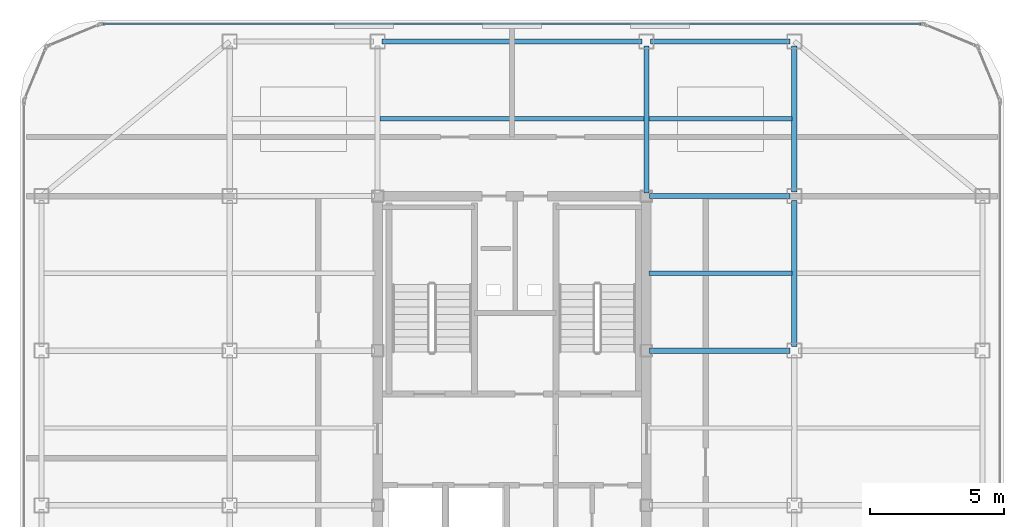
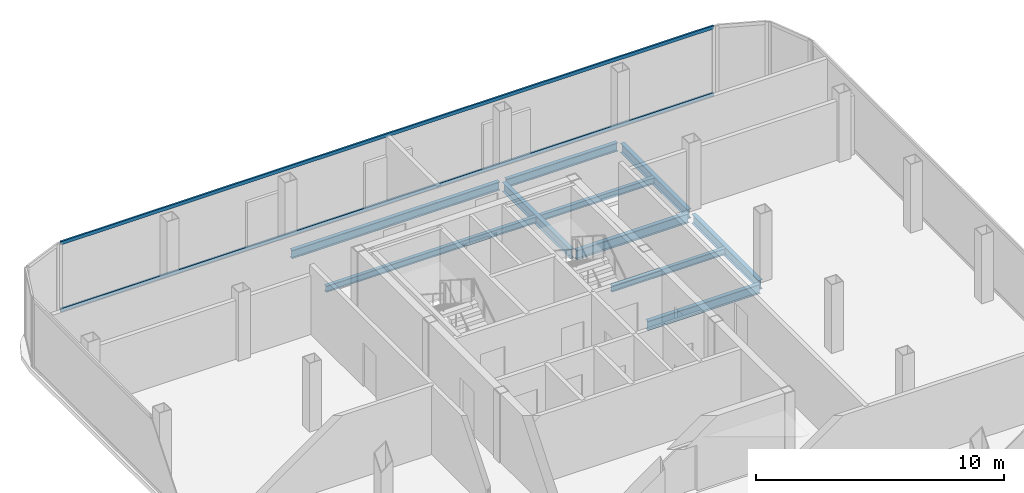
# One storey, part 5 of 11: 10 beams, 2 members, 1 element without a shape of its own.
"""IFC4 building model written with IfcOpenShell, lengths in metres."""

from ifc_helpers import new_model, si_unit, direction, frame, origin, origin_2d, place, context, subcontext, project, spatial, hollow_rectangle, i_section, extrude, source, transform, mapped, material, layer, layer_set, material_profile, profile_set, type_object, element, aggregate, save


model = new_model("IFC4")

# Units and contexts
model_context = context("Model", 3, precision=1e-05, world=origin(), true_north=direction((0.0, 1.0)))
body_context = subcontext(model_context, "Body", "Model", "MODEL_VIEW")
ifc_project = project(units=[si_unit("LENGTHUNIT", "METRE"), si_unit("AREAUNIT", "SQUARE_METRE"), si_unit("VOLUMEUNIT", "CUBIC_METRE"), si_unit("PLANEANGLEUNIT", "RADIAN"), si_unit("MASSUNIT", "GRAM", prefix="KILO")], contexts=[model_context])

# Site, building, storey
site_placement = place(None, origin())
site = spatial("IfcSite", under=ifc_project, at=site_placement, CompositionType="ELEMENT")
building_placement = place(site_placement, origin())
building = spatial("IfcBuilding", under=site, at=building_placement, Name="Kolveth Station Tower", CompositionType="ELEMENT")
storey_placement = place(building_placement, frame((0.0, 0.0, 274.89990234375)))
storey = spatial("IfcBuildingStorey", under=building, at=storey_placement, Name="L79", CompositionType="ELEMENT", Elevation=274.89990234375)

# Beams
ifc_material_1 = material(Name="Steel S355", Category="steel")
ifc_material_profile_1 = material_profile(ifc_material_1, i_section(OverallWidth=0.180908203125, OverallDepth=0.4169921875, WebThickness=0.010986328125, FlangeThickness=0.018310546875, at=origin_2d()), Name="W410x85")
ifc_profile_set_1 = profile_set([ifc_material_profile_1], Name="Steel S355")
beam_type_1 = type_object("IfcBeamType", Name="Beam_B8", PredefinedType="BEAM", material=ifc_profile_set_1)
shared_shape_1 = source(origin(), body_context, "Body", "SweptSolid", [
    extrude(i_section(OverallWidth=0.180908203125, OverallDepth=0.4169921875, WebThickness=0.010986328125, FlangeThickness=0.018310546875, at=origin_2d()), origin(), (0.0, 0.0, 1.0), 5.18017578125),
])
beam_1_placement = place(storey_placement, frame((28.659912109375, 34.5, -0.428466796875), z_axis=(1.0, 0.0, 0.0), x_axis=(0.0, 1.0, 0.0)))
element("IfcBeam", 1, at=beam_1_placement, inside=storey, type_object=beam_type_1, Name="L79 Perimeter Spandrel BM-L79-PN-3", PredefinedType="BEAM", context=body_context, shape_type="MappedRepresentation", body=[
    mapped(shared_shape_1, transform((0.0, 0.0, 0.0), x_axis=(1.0, 0.0, 0.0), y_axis=(0.0, 1.0, 0.0), z_axis=(0.0, 0.0, 1.0), scale=1.0)),
])
shared_shape_2 = source(origin(), body_context, "Body", "SweptSolid", [
    extrude(i_section(OverallWidth=0.180908203125, OverallDepth=0.4169921875, WebThickness=0.010986328125, FlangeThickness=0.018310546875, at=origin_2d()), origin(), (0.0, 0.0, 1.0), 9.68017578125),
])
beam_2_placement = place(storey_placement, frame((18.659912109375, 34.5, -0.428466796875), z_axis=(1.0, 0.0, 0.0), x_axis=(0.0, 1.0, 0.0)))
element("IfcBeam", 2, at=beam_2_placement, inside=storey, type_object=beam_type_1, Name="L79 Perimeter Spandrel BM-L79-PN-2", PredefinedType="BEAM", context=body_context, shape_type="MappedRepresentation", body=[
    mapped(shared_shape_2, transform((0.0, 0.0, 0.0), x_axis=(1.0, 0.0, 0.0), y_axis=(0.0, 1.0, 0.0), z_axis=(0.0, 0.0, 1.0), scale=1.0)),
])
ifc_material_profile_2 = material_profile(ifc_material_1, i_section(OverallWidth=0.19091796875, OverallDepth=0.4599609375, WebThickness=0.010009765625, FlangeThickness=0.01611328125, at=origin_2d()), Name="W460x82")
ifc_profile_set_2 = profile_set([ifc_material_profile_2], Name="Steel S355")
beam_type_2 = type_object("IfcBeamType", Name="Beam_B7", PredefinedType="BEAM", material=ifc_profile_set_2)
shared_shape_3 = source(origin(), body_context, "Body", "SweptSolid", [
    extrude(i_section(OverallWidth=0.19091796875, OverallDepth=0.4599609375, WebThickness=0.010009765625, FlangeThickness=0.01611328125, at=origin_2d()), origin(), (0.0, 0.0, 1.0), 5.22998046875),
])
for number, where, z_axis, x_axis, name in (
    (3, (28.610107421875, 23.0, -0.449951171875), (1.0, 0.0, 0.0), (0.0, 1.0, 0.0), "L79 Primary Girder BM-L79-GY230-4"),
    (4, (28.610107421875, 28.75, -0.449951171875), (1.0, 0.0, 0.0), (0.0, 1.0, 0.0), "L79 Primary Girder BM-L79-GY287-4"),
):
    element("IfcBeam", number, at=place(storey_placement, frame(where, z_axis=z_axis, x_axis=x_axis)), inside=storey, type_object=beam_type_2, Name=name, PredefinedType="BEAM", context=body_context, shape_type="MappedRepresentation", body=[
        mapped(shared_shape_3, transform((0.0, 0.0, 0.0), x_axis=(1.0, 0.0, 0.0), y_axis=(0.0, 1.0, 0.0), z_axis=(0.0, 0.0, 1.0), scale=1.0)),
    ])
shared_shape_4 = source(origin(), body_context, "Body", "SweptSolid", [
    extrude(i_section(OverallWidth=0.19091796875, OverallDepth=0.4599609375, WebThickness=0.010009765625, FlangeThickness=0.01611328125, at=origin_2d()), origin(), (0.0, 0.0, 1.0), 5.43017578125),
])
for number, where, z_axis, x_axis, name in (
    (5, (34.0, 23.159912109375, -0.449951171875), (0.0, 1.0, 0.0), (-1.0, 0.0, 0.0), "L79 Primary Girder BM-L79-GX340-4"),
    (6, (34.0, 28.909912109375, -0.449951171875), (0.0, 1.0, 0.0), (-1.0, 0.0, 0.0), "L79 Primary Girder BM-L79-GX340-5"),
):
    element("IfcBeam", number, at=place(storey_placement, frame(where, z_axis=z_axis, x_axis=x_axis)), inside=storey, type_object=beam_type_2, Name=name, PredefinedType="BEAM", context=body_context, shape_type="MappedRepresentation", body=[
        mapped(shared_shape_4, transform((0.0, 0.0, 0.0), x_axis=(1.0, 0.0, 0.0), y_axis=(0.0, 1.0, 0.0), z_axis=(0.0, 0.0, 1.0), scale=1.0)),
    ])
shared_shape_5 = source(origin(), body_context, "Body", "SweptSolid", [
    extrude(i_section(OverallWidth=0.19091796875, OverallDepth=0.4599609375, WebThickness=0.010009765625, FlangeThickness=0.01611328125, at=origin_2d()), origin(), (0.0, 0.0, 1.0), 5.47998046875),
])
beam_3_placement = place(storey_placement, frame((28.5, 28.860107421875, -0.449951171875), z_axis=(0.0, 1.0, 0.0), x_axis=(-1.0, 0.0, 0.0)))
element("IfcBeam", 7, at=beam_3_placement, inside=storey, type_object=beam_type_2, Name="L79 Primary Girder BM-L79-GX285-5", PredefinedType="BEAM", context=body_context, shape_type="MappedRepresentation", body=[
    mapped(shared_shape_5, transform((0.0, 0.0, 0.0), x_axis=(1.0, 0.0, 0.0), y_axis=(0.0, 1.0, 0.0), z_axis=(0.0, 0.0, 1.0), scale=1.0)),
])
ifc_material_profile_3 = material_profile(ifc_material_1, i_section(OverallWidth=0.1650390625, OverallDepth=0.31005859375, WebThickness=0.005859375, FlangeThickness=0.009765625, at=origin_2d()), Name="W310x39")
ifc_profile_set_3 = profile_set([ifc_material_profile_3], Name="Steel S355")
beam_type_3 = type_object("IfcBeamType", Name="Beam_J3", PredefinedType="JOIST", material=ifc_profile_set_3)
shared_shape_6 = source(origin(), body_context, "Body", "SweptSolid", [
    extrude(i_section(OverallWidth=0.1650390625, OverallDepth=0.31005859375, WebThickness=0.005859375, FlangeThickness=0.009765625, at=origin_2d()), origin(), (0.0, 0.0, 1.0), 5.31298828125),
])
for number, where, z_axis, x_axis, name in (
    (8, (28.593505859375, 25.875, -0.375), (1.0, 0.0, 0.0), (0.0, 1.0, 0.0), "L79 Secondary Joist JST-L79-4-4"),
    (9, (28.593505859375, 31.625, -0.375), (1.0, 0.0, 0.0), (0.0, 1.0, 0.0), "L79 Secondary Joist JST-L79-4-5"),
):
    element("IfcBeam", number, at=place(storey_placement, frame(where, z_axis=z_axis, x_axis=x_axis)), inside=storey, type_object=beam_type_3, Name=name, PredefinedType="JOIST", context=body_context, shape_type="MappedRepresentation", body=[
        mapped(shared_shape_6, transform((0.0, 0.0, 0.0), x_axis=(1.0, 0.0, 0.0), y_axis=(0.0, 1.0, 0.0), z_axis=(0.0, 0.0, 1.0), scale=1.0)),
    ])
shared_shape_7 = source(origin(), body_context, "Body", "SweptSolid", [
    extrude(i_section(OverallWidth=0.1650390625, OverallDepth=0.31005859375, WebThickness=0.005859375, FlangeThickness=0.009765625, at=origin_2d()), origin(), (0.0, 0.0, 1.0), 9.81298828125),
])
beam_4_placement = place(storey_placement, frame((18.593505859375, 31.625, -0.375), z_axis=(1.0, 0.0, 0.0), x_axis=(0.0, 1.0, 0.0)))
element("IfcBeam", 10, at=beam_4_placement, inside=storey, type_object=beam_type_3, Name="L79 Secondary Joist JST-L79-3-5", PredefinedType="JOIST", context=body_context, shape_type="MappedRepresentation", body=[
    mapped(shared_shape_7, transform((0.0, 0.0, 0.0), x_axis=(1.0, 0.0, 0.0), y_axis=(0.0, 1.0, 0.0), z_axis=(0.0, 0.0, 1.0), scale=1.0)),
])

# Curtain wall, members
ifc_material_2 = material(Name="Black anodized aluminium 6063-T6 and dark crown glass", Category="aluminium")
ifc_layer = layer(ifc_material_2, 0.169921875)
ifc_layer_set = layer_set([ifc_layer], Name="Black anodized aluminium 6063-T6 and dark crown glass")
curtain_wall_type = type_object("IfcCurtainWallType", Name="CurtainWall_CW-CR", PredefinedType="NOTDEFINED", material=ifc_layer_set)
curtain_wall_placement = place(storey_placement, origin())
curtain_wall = element("IfcCurtainWall", 11, at=curtain_wall_placement, inside=storey, type_object=curtain_wall_type, Name="L79 Stepped Crown Curtain Wall 6", PredefinedType="NOTDEFINED")
ifc_material_3 = material(Name="Black anodized aluminium 6063-T6", Category="aluminium")
ifc_material_profile_4 = material_profile(ifc_material_3, hollow_rectangle(XDim=0.080078125, YDim=0.1650390625, WallThickness=0.0048828125, at=origin_2d()), Name="ALU-80x165x5")
ifc_profile_set_4 = profile_set([ifc_material_profile_4], Name="Black anodized aluminium 6063-T6")
member_type = type_object("IfcMemberType", Name="Transom_TR-CR", PredefinedType="USERDEFINED", material=ifc_profile_set_4)
shared_shape_8 = source(origin(), body_context, "Body", "SweptSolid", [
    extrude(hollow_rectangle(XDim=0.080078125, YDim=0.1650390625, WallThickness=0.0048828125, at=origin_2d()), origin(), (0.0, 0.0, 1.0), 30.43017578125),
])
member_1_placement = place(storey_placement, frame((38.715087890625, 35.14990234375, 0.0400390625), z_axis=(-1.0, 0.0, 0.0), x_axis=(0.0, -1.0, 0.0)))
member_1 = element("IfcMember", 12, at=member_1_placement, type_object=member_type, Name="CW-CR transom 1.1", ObjectType="TRANSOM", PredefinedType="USERDEFINED", context=body_context, shape_type="MappedRepresentation", body=[
    mapped(shared_shape_8, transform((0.0, 0.0, 0.0), x_axis=(1.0, 0.0, 0.0), y_axis=(0.0, 1.0, 0.0), z_axis=(0.0, 0.0, 1.0), scale=1.0)),
])
member_2_placement = place(storey_placement, frame((38.715087890625, 35.14990234375, 3.340087890625), z_axis=(-1.0, 0.0, 0.0), x_axis=(0.0, -1.0, 0.0)))
member_2 = element("IfcMember", 13, at=member_2_placement, type_object=member_type, Name="CW-CR transom 1.2", ObjectType="TRANSOM", PredefinedType="USERDEFINED", context=body_context, shape_type="MappedRepresentation", body=[
    mapped(shared_shape_8, transform((0.0, 0.0, 0.0), x_axis=(1.0, 0.0, 0.0), y_axis=(0.0, 1.0, 0.0), z_axis=(0.0, 0.0, 1.0), scale=1.0)),
])
aggregate(curtain_wall, [member_1, member_2])

save(model, "model.ifc")
